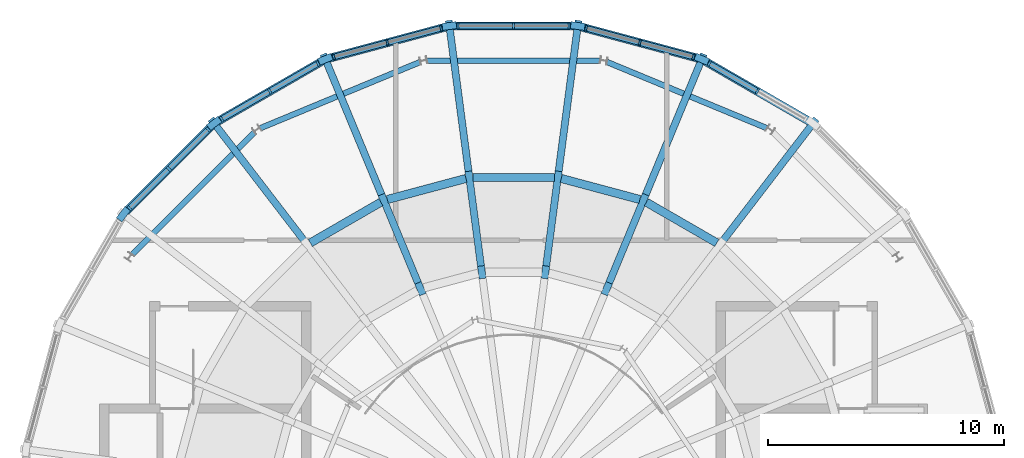
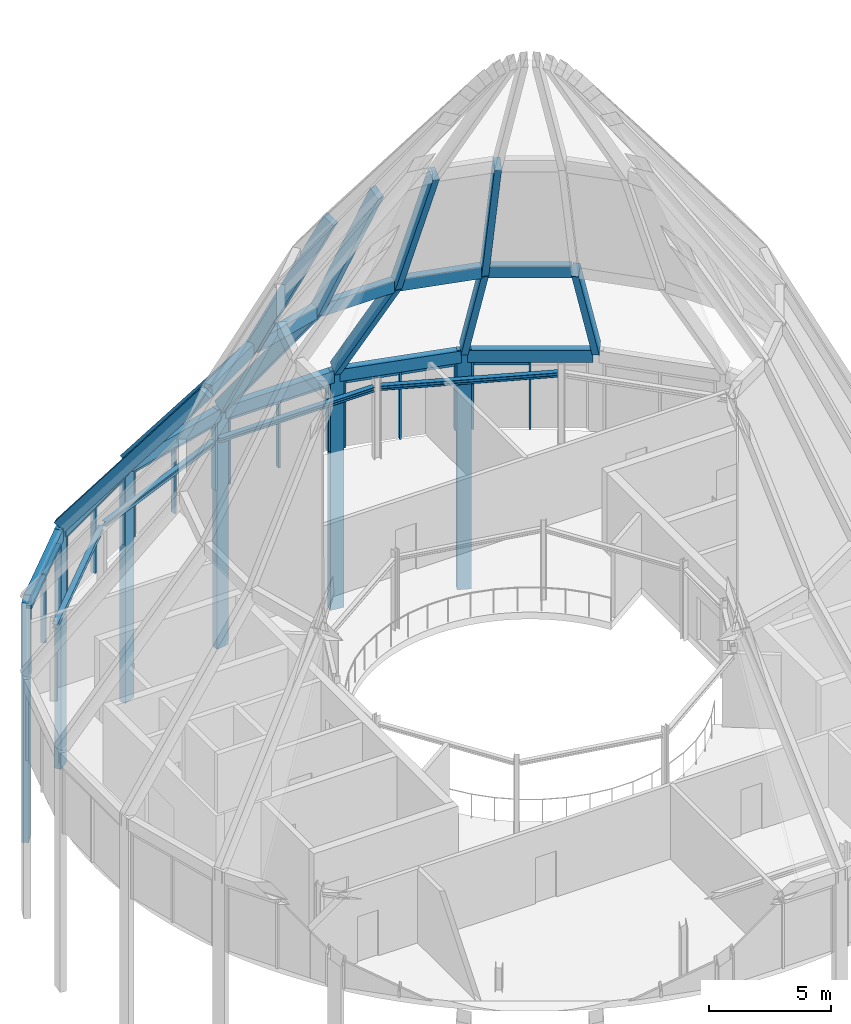
# One storey, part 9 of 16: 55 members, 4 beams, 6 elements without a shape of their own.
"""IFC4 building model written with IfcOpenShell, lengths in metres."""

from ifc_helpers import new_model, si_unit, direction, frame, origin, origin_2d, place, context, subcontext, project, spatial, rectangle, i_section, extrude, material, layer, layer_set, material_profile, profile_set, type_object, element, aggregate, save


model = new_model("IFC4")

# Units and contexts
model_context = context("Model", 3, precision=1e-05, world=origin(), true_north=direction((0.0, 1.0)))
body_context = subcontext(model_context, "Body", "Model", "MODEL_VIEW")
ifc_project = project(units=[si_unit("LENGTHUNIT", "METRE"), si_unit("AREAUNIT", "SQUARE_METRE"), si_unit("VOLUMEUNIT", "CUBIC_METRE"), si_unit("PLANEANGLEUNIT", "RADIAN"), si_unit("MASSUNIT", "GRAM", prefix="KILO")], contexts=[model_context])

# Site, building, storey
site_placement = place(None, origin())
site = spatial("IfcSite", under=ifc_project, at=site_placement, CompositionType="ELEMENT")
building_placement = place(site_placement, origin())
building = spatial("IfcBuilding", under=site, at=building_placement, Name="Maasbend Ring Residences", CompositionType="ELEMENT")
storey_placement = place(building_placement, frame((0.0, 0.0, 269.5)))
storey = spatial("IfcBuildingStorey", under=building, at=storey_placement, Name="L77", CompositionType="ELEMENT", Elevation=269.5)

# Members
ifc_material_1 = material(Name="Steel S355J2", Category="steel")
ifc_material_profile_1 = material_profile(ifc_material_1, rectangle(XDim=0.300048828125, YDim=0.60009765625, at=origin_2d()), Name="Box 300x600x12")
ifc_profile_set_1 = profile_set([ifc_material_profile_1], Name="Steel S355J2")
member_type_1 = type_object("IfcMemberType", Name="CROWN-RIB", PredefinedType="USERDEFINED", material=ifc_profile_set_1)
member_1_placement = place(storey_placement, frame((12.704833984375, 16.557373046875, 4.0), z_axis=(-0.37129355813, -0.483870756663, 0.792470936084), x_axis=(0.793348218634, -0.608768103624, 0.0)))
element("IfcMember", 1, at=member_1_placement, inside=storey, type_object=member_type_1, Name="Crown frame rib", ObjectType="CROWN FRAME", PredefinedType="USERDEFINED", context=body_context, shape_type="SweptSolid", body=[
    extrude(rectangle(XDim=0.300048828125, YDim=0.60009765625, at=origin_2d()), origin(), (0.0, 0.0, 1.0), 10.635009765625),
])
member_2_placement = place(storey_placement, frame((7.986572265625, 19.28125, -8.0), z_axis=(0.0, 0.0, 1.0), x_axis=(0.382683432365, 0.923879532511, 0.0)))
element("IfcMember", 2, at=member_2_placement, inside=storey, type_object=member_type_1, Name="Crown frame rib", ObjectType="CROWN FRAME", PredefinedType="USERDEFINED", context=body_context, shape_type="SweptSolid", body=[
    extrude(rectangle(XDim=0.300048828125, YDim=0.60009765625, at=origin_2d()), origin(), (0.0, 0.0, 1.0), 12.0),
])
member_3_placement = place(storey_placement, frame((7.986572265625, 19.28125, 4.0), z_axis=(-0.233399082314, -0.563468129772, 0.79248251407), x_axis=(0.923877827618, -0.382687548315, 0.0)))
element("IfcMember", 3, at=member_3_placement, inside=storey, type_object=member_type_1, Name="Crown frame rib", ObjectType="CROWN FRAME", PredefinedType="USERDEFINED", context=body_context, shape_type="SweptSolid", body=[
    extrude(rectangle(XDim=0.300048828125, YDim=0.60009765625, at=origin_2d()), origin(), (0.0, 0.0, 1.0), 10.635009765625),
])
member_4_placement = place(storey_placement, frame((5.50439453125, 13.288818359375, 12.427978515625), z_axis=(-0.170832473334, -0.412417278661, 0.894834204932), x_axis=(0.92387664706, -0.382690398388, 0.0)))
element("IfcMember", 4, at=member_4_placement, inside=storey, type_object=member_type_1, Name="Crown frame rib", ObjectType="CROWN FRAME", PredefinedType="USERDEFINED", context=body_context, shape_type="SweptSolid", body=[
    extrude(rectangle(XDim=0.300048828125, YDim=0.60009765625, at=origin_2d()), origin(), (0.0, 0.0, 1.0), 9.08203125),
])
member_5_placement = place(storey_placement, frame((2.72412109375, 20.69140625, -8.0), z_axis=(0.0, 0.0, 1.0), x_axis=(0.13052619222, 0.991444861374, 0.0)))
element("IfcMember", 5, at=member_5_placement, inside=storey, type_object=member_type_1, Name="Crown frame rib", ObjectType="CROWN FRAME", PredefinedType="USERDEFINED", context=body_context, shape_type="SweptSolid", body=[
    extrude(rectangle(XDim=0.300048828125, YDim=0.60009765625, at=origin_2d()), origin(), (0.0, 0.0, 1.0), 12.0),
])
member_6_placement = place(storey_placement, frame((2.72412109375, 20.69140625, 4.0), z_axis=(-0.079612203208, -0.604690035961, 0.792471991625), x_axis=(0.991444171841, -0.130531429632, 0.0)))
element("IfcMember", 6, at=member_6_placement, inside=storey, type_object=member_type_1, Name="Crown frame rib", ObjectType="CROWN FRAME", PredefinedType="USERDEFINED", context=body_context, shape_type="SweptSolid", body=[
    extrude(rectangle(XDim=0.300048828125, YDim=0.60009765625, at=origin_2d()), origin(), (0.0, 0.0, 1.0), 10.635009765625),
])
member_7_placement = place(storey_placement, frame((1.87744140625, 14.260498046875, 12.427978515625), z_axis=(-0.058253168018, -0.4425574089, 0.894846080755), x_axis=(0.991447940021, -0.130502805444, 0.0)))
element("IfcMember", 7, at=member_7_placement, inside=storey, type_object=member_type_1, Name="Crown frame rib", ObjectType="CROWN FRAME", PredefinedType="USERDEFINED", context=body_context, shape_type="SweptSolid", body=[
    extrude(rectangle(XDim=0.300048828125, YDim=0.60009765625, at=origin_2d()), origin(), (0.0, 0.0, 1.0), 9.08203125),
])
member_8_placement = place(storey_placement, frame((-2.72412109375, 20.69140625, -8.0), z_axis=(0.0, 0.0, 1.0), x_axis=(-0.13052619222, 0.991444861374, 0.0)))
element("IfcMember", 8, at=member_8_placement, inside=storey, type_object=member_type_1, Name="Crown frame rib", ObjectType="CROWN FRAME", PredefinedType="USERDEFINED", context=body_context, shape_type="SweptSolid", body=[
    extrude(rectangle(XDim=0.300048828125, YDim=0.60009765625, at=origin_2d()), origin(), (0.0, 0.0, 1.0), 12.0),
])
member_9_placement = place(storey_placement, frame((-2.72412109375, 20.69140625, 4.0), z_axis=(0.079612203208, -0.604690035961, 0.792471991625), x_axis=(0.991444171841, 0.130531429632, 0.0)))
element("IfcMember", 9, at=member_9_placement, inside=storey, type_object=member_type_1, Name="Crown frame rib", ObjectType="CROWN FRAME", PredefinedType="USERDEFINED", context=body_context, shape_type="SweptSolid", body=[
    extrude(rectangle(XDim=0.300048828125, YDim=0.60009765625, at=origin_2d()), origin(), (0.0, 0.0, 1.0), 10.635009765625),
])
member_10_placement = place(storey_placement, frame((-1.87744140625, 14.260498046875, 12.427978515625), z_axis=(0.058253168018, -0.4425574089, 0.894846080755), x_axis=(0.991447940021, 0.130502805444, 0.0)))
element("IfcMember", 10, at=member_10_placement, inside=storey, type_object=member_type_1, Name="Crown frame rib", ObjectType="CROWN FRAME", PredefinedType="USERDEFINED", context=body_context, shape_type="SweptSolid", body=[
    extrude(rectangle(XDim=0.300048828125, YDim=0.60009765625, at=origin_2d()), origin(), (0.0, 0.0, 1.0), 9.08203125),
])
member_11_placement = place(storey_placement, frame((-7.986572265625, 19.28125, -8.0), z_axis=(0.0, 0.0, 1.0), x_axis=(-0.382683432365, 0.923879532511, 0.0)))
element("IfcMember", 11, at=member_11_placement, inside=storey, type_object=member_type_1, Name="Crown frame rib", ObjectType="CROWN FRAME", PredefinedType="USERDEFINED", context=body_context, shape_type="SweptSolid", body=[
    extrude(rectangle(XDim=0.300048828125, YDim=0.60009765625, at=origin_2d()), origin(), (0.0, 0.0, 1.0), 12.0),
])
member_12_placement = place(storey_placement, frame((-7.986572265625, 19.28125, 4.0), z_axis=(0.233399082314, -0.563468129772, 0.79248251407), x_axis=(0.923877827618, 0.382687548315, 0.0)))
element("IfcMember", 12, at=member_12_placement, inside=storey, type_object=member_type_1, Name="Crown frame rib", ObjectType="CROWN FRAME", PredefinedType="USERDEFINED", context=body_context, shape_type="SweptSolid", body=[
    extrude(rectangle(XDim=0.300048828125, YDim=0.60009765625, at=origin_2d()), origin(), (0.0, 0.0, 1.0), 10.635009765625),
])
member_13_placement = place(storey_placement, frame((-5.50439453125, 13.288818359375, 12.427978515625), z_axis=(0.170832473334, -0.412417278661, 0.894834204932), x_axis=(0.92387664706, 0.382690398388, 0.0)))
element("IfcMember", 13, at=member_13_placement, inside=storey, type_object=member_type_1, Name="Crown frame rib", ObjectType="CROWN FRAME", PredefinedType="USERDEFINED", context=body_context, shape_type="SweptSolid", body=[
    extrude(rectangle(XDim=0.300048828125, YDim=0.60009765625, at=origin_2d()), origin(), (0.0, 0.0, 1.0), 9.08203125),
])
member_14_placement = place(storey_placement, frame((-12.704833984375, 16.557373046875, -8.0), z_axis=(0.0, 0.0, 1.0), x_axis=(-0.608761429009, 0.793353340291, 0.0)))
element("IfcMember", 14, at=member_14_placement, inside=storey, type_object=member_type_1, Name="Crown frame rib", ObjectType="CROWN FRAME", PredefinedType="USERDEFINED", context=body_context, shape_type="SweptSolid", body=[
    extrude(rectangle(XDim=0.300048828125, YDim=0.60009765625, at=origin_2d()), origin(), (0.0, 0.0, 1.0), 12.0),
])
member_15_placement = place(storey_placement, frame((-12.704833984375, 16.557373046875, 4.0), z_axis=(0.37129355813, -0.483870756663, 0.792470936084), x_axis=(0.793348218634, 0.608768103624, 0.0)))
element("IfcMember", 15, at=member_15_placement, inside=storey, type_object=member_type_1, Name="Crown frame rib", ObjectType="CROWN FRAME", PredefinedType="USERDEFINED", context=body_context, shape_type="SweptSolid", body=[
    extrude(rectangle(XDim=0.300048828125, YDim=0.60009765625, at=origin_2d()), origin(), (0.0, 0.0, 1.0), 10.635009765625),
])
member_16_placement = place(storey_placement, frame((-16.557373046875, 12.704833984375, -8.0), z_axis=(0.0, 0.0, 1.0), x_axis=(-0.793353340291, 0.608761429009, 0.0)))
element("IfcMember", 16, at=member_16_placement, inside=storey, type_object=member_type_1, Name="Crown frame rib", ObjectType="CROWN FRAME", PredefinedType="USERDEFINED", context=body_context, shape_type="SweptSolid", body=[
    extrude(rectangle(XDim=0.300048828125, YDim=0.60009765625, at=origin_2d()), origin(), (0.0, 0.0, 1.0), 12.0),
])
ifc_material_2 = material(Name="Steel S355J2", Category="steel")
ifc_material_profile_2 = material_profile(ifc_material_2, rectangle(XDim=0.35009765625, YDim=0.60009765625, at=origin_2d()), Name="Box 350x600x16")
ifc_profile_set_2 = profile_set([ifc_material_profile_2], Name="Steel S355J2")
member_type_2 = type_object("IfcMemberType", Name="CROWN-RING", PredefinedType="USERDEFINED", material=ifc_profile_set_2)
member_17_placement = place(storey_placement, frame((12.574951171875, 16.63232421875, 3.699951171875), z_axis=(-0.866037120986, 0.499979704663, 0.0), x_axis=(-0.499979704663, -0.866037120986, 0.0)))
element("IfcMember", 17, at=member_17_placement, inside=storey, type_object=member_type_2, Name="Crown frame ring beam", ObjectType="CROWN FRAME", PredefinedType="USERDEFINED", context=body_context, shape_type="SweptSolid", body=[
    extrude(rectangle(XDim=0.35009765625, YDim=0.60009765625, at=origin_2d()), origin(), (0.0, 0.0, 1.0), 5.148193359375),
])
member_18_placement = place(storey_placement, frame((7.841796875, 19.320068359375, 3.699951171875), z_axis=(-0.96592413215, 0.258825367631, 0.0), x_axis=(-0.258825367631, -0.96592413215, 0.0)))
element("IfcMember", 18, at=member_18_placement, inside=storey, type_object=member_type_2, Name="Crown frame ring beam", ObjectType="CROWN FRAME", PredefinedType="USERDEFINED", context=body_context, shape_type="SweptSolid", body=[
    extrude(rectangle(XDim=0.35009765625, YDim=0.60009765625, at=origin_2d()), origin(), (0.0, 0.0, 1.0), 5.1484375),
])
member_19_placement = place(storey_placement, frame((2.573974609375, 20.69140625, 3.699951171875), z_axis=(-1.0, 0.0, 0.0), x_axis=(0.0, -1.0, 0.0)))
element("IfcMember", 19, at=member_19_placement, inside=storey, type_object=member_type_2, Name="Crown frame ring beam", ObjectType="CROWN FRAME", PredefinedType="USERDEFINED", context=body_context, shape_type="SweptSolid", body=[
    extrude(rectangle(XDim=0.35009765625, YDim=0.60009765625, at=origin_2d()), origin(), (0.0, 0.0, 1.0), 5.14794921875),
])
member_20_placement = place(storey_placement, frame((-2.868896484375, 20.652587890625, 3.699951171875), z_axis=(-0.96592413215, -0.258825367631, 0.0), x_axis=(0.258825367631, -0.96592413215, 0.0)))
element("IfcMember", 20, at=member_20_placement, inside=storey, type_object=member_type_2, Name="Crown frame ring beam", ObjectType="CROWN FRAME", PredefinedType="USERDEFINED", context=body_context, shape_type="SweptSolid", body=[
    extrude(rectangle(XDim=0.35009765625, YDim=0.60009765625, at=origin_2d()), origin(), (0.0, 0.0, 1.0), 5.1484375),
])
member_21_placement = place(storey_placement, frame((-8.116455078125, 19.206298828125, 3.699951171875), z_axis=(-0.866037120986, -0.499979704663, 0.0), x_axis=(0.499979704663, -0.866037120986, 0.0)))
element("IfcMember", 21, at=member_21_placement, inside=storey, type_object=member_type_2, Name="Crown frame ring beam", ObjectType="CROWN FRAME", PredefinedType="USERDEFINED", context=body_context, shape_type="SweptSolid", body=[
    extrude(rectangle(XDim=0.35009765625, YDim=0.60009765625, at=origin_2d()), origin(), (0.0, 0.0, 1.0), 5.148193359375),
])
member_22_placement = place(storey_placement, frame((-12.81103515625, 16.451171875, 3.699951171875), z_axis=(-0.707106781187, -0.707106781187, 0.0), x_axis=(0.707106781187, -0.707106781187, 0.0)))
element("IfcMember", 22, at=member_22_placement, inside=storey, type_object=member_type_2, Name="Crown frame ring beam", ObjectType="CROWN FRAME", PredefinedType="USERDEFINED", context=body_context, shape_type="SweptSolid", body=[
    extrude(rectangle(XDim=0.35009765625, YDim=0.60009765625, at=origin_2d()), origin(), (0.0, 0.0, 1.0), 5.14794921875),
])
for number, where, z_axis, x_axis, name in (
    (23, (8.626220703125, 11.486328125, 12.427978515625), (-0.866038486578, 0.499977339252, 0.0), (-0.499977339252, -0.866038486578, 0.0), "Crown frame ring beam"),
    (24, (5.359375, 13.32763671875, 12.427978515625), (-0.965936381451, 0.25877964949, 0.0), (-0.25877964949, -0.965936381451, 0.0), "Crown frame ring beam"),
):
    element("IfcMember", number, at=place(storey_placement, frame(where, z_axis=z_axis, x_axis=x_axis)), inside=storey, type_object=member_type_2, Name=name, ObjectType="CROWN FRAME", PredefinedType="USERDEFINED", context=body_context, shape_type="SweptSolid", body=[
        extrude(rectangle(XDim=0.35009765625, YDim=0.60009765625, at=origin_2d()), origin(), (0.0, 0.0, 1.0), 3.454833984375),
    ])
member_23_placement = place(storey_placement, frame((1.7275390625, 14.260498046875, 12.427978515625), z_axis=(-1.0, 0.0, 0.0), x_axis=(0.0, -1.0, 0.0)))
element("IfcMember", 25, at=member_23_placement, inside=storey, type_object=member_type_2, Name="Crown frame ring beam", ObjectType="CROWN FRAME", PredefinedType="USERDEFINED", context=body_context, shape_type="SweptSolid", body=[
    extrude(rectangle(XDim=0.35009765625, YDim=0.60009765625, at=origin_2d()), origin(), (0.0, 0.0, 1.0), 3.455078125),
])
for number, where, z_axis, x_axis, name in (
    (26, (-2.022216796875, 14.2216796875, 12.427978515625), (-0.965936381451, -0.25877964949, 0.0), (0.25877964949, -0.965936381451, 0.0), "Crown frame ring beam"),
    (27, (-5.63427734375, 13.213623046875, 12.427978515625), (-0.866038486578, -0.499977339252, 0.0), (0.499977339252, -0.866038486578, 0.0), "Crown frame ring beam"),
):
    element("IfcMember", number, at=place(storey_placement, frame(where, z_axis=z_axis, x_axis=x_axis)), inside=storey, type_object=member_type_2, Name=name, ObjectType="CROWN FRAME", PredefinedType="USERDEFINED", context=body_context, shape_type="SweptSolid", body=[
        extrude(rectangle(XDim=0.35009765625, YDim=0.60009765625, at=origin_2d()), origin(), (0.0, 0.0, 1.0), 3.454833984375),
    ])

# Curtain wall, members
ifc_material_3 = material(Name="Aluminium and clear glass", Category="aluminium")
ifc_layer = layer(ifc_material_3, 0.239990234375)
ifc_layer_set = layer_set([ifc_layer], Name="CW-CN")
curtain_wall_type = type_object("IfcCurtainWallType", Name="CW-CN", PredefinedType="NOTDEFINED", material=ifc_layer_set)
curtain_wall_1_placement = place(storey_placement, origin())
curtain_wall_1 = element("IfcCurtainWall", 28, at=curtain_wall_1_placement, inside=storey, type_object=curtain_wall_type, Name="Crown drum glazing 04 L77", PredefinedType="NOTDEFINED")
ifc_material_4 = material(Name="Aluminium 6063-T6", Category="aluminium")
ifc_material_profile_3 = material_profile(ifc_material_4, rectangle(XDim=0.239990234375, YDim=0.090087890625, at=origin_2d()), Name="AL 240x90")
ifc_profile_set_3 = profile_set([ifc_material_profile_3], Name="Aluminium 6063-T6")
member_type_3 = type_object("IfcMemberType", Name="CWM-CN", PredefinedType="MULLION", material=ifc_profile_set_3)
member_24_placement = place(storey_placement, frame((10.345703125, 17.91943359375, 0.0), z_axis=(0.0, 0.0, 1.0), x_axis=(-0.5, -0.866025403784, 0.0)))
member_24 = element("IfcMember", 29, at=member_24_placement, type_object=member_type_3, Name="Mullion crown cone", PredefinedType="MULLION", context=body_context, shape_type="SweptSolid", body=[
    extrude(rectangle(XDim=0.239990234375, YDim=0.090087890625, at=origin_2d()), origin(), (0.0, 0.0, 1.0), 3.39990234375),
])
member_25_placement = place(storey_placement, frame((8.302734375, 19.098876953125, 0.0), z_axis=(0.0, 0.0, 1.0), x_axis=(-0.5, -0.866025403784, 0.0)))
member_25 = element("IfcMember", 30, at=member_25_placement, type_object=member_type_3, Name="Mullion crown cone", PredefinedType="MULLION", context=body_context, shape_type="SweptSolid", body=[
    extrude(rectangle(XDim=0.239990234375, YDim=0.090087890625, at=origin_2d()), origin(), (0.0, 0.0, 1.0), 3.39990234375),
])

curtain_wall_2_placement = place(storey_placement, origin())
curtain_wall_2 = element("IfcCurtainWall", 31, at=curtain_wall_2_placement, inside=storey, type_object=curtain_wall_type, Name="Crown drum glazing 05 L77", PredefinedType="NOTDEFINED")
member_26_placement = place(storey_placement, frame((7.634033203125, 19.375732421875, 0.0), z_axis=(0.0, 0.0, 1.0), x_axis=(-0.258819045103, -0.965925826289, 0.0)))
member_26 = element("IfcMember", 32, at=member_26_placement, type_object=member_type_3, Name="Mullion crown cone", PredefinedType="MULLION", context=body_context, shape_type="SweptSolid", body=[
    extrude(rectangle(XDim=0.239990234375, YDim=0.090087890625, at=origin_2d()), origin(), (0.0, 0.0, 1.0), 3.39990234375),
])
member_27_placement = place(storey_placement, frame((5.355224609375, 19.986328125, 0.0), z_axis=(0.0, 0.0, 1.0), x_axis=(-0.258819045103, -0.965925826289, 0.0)))
member_27 = element("IfcMember", 33, at=member_27_placement, type_object=member_type_3, Name="Mullion crown cone", PredefinedType="MULLION", context=body_context, shape_type="SweptSolid", body=[
    extrude(rectangle(XDim=0.239990234375, YDim=0.090087890625, at=origin_2d()), origin(), (0.0, 0.0, 1.0), 3.39990234375),
])
member_28_placement = place(storey_placement, frame((3.07666015625, 20.596923828125, 0.0), z_axis=(0.0, 0.0, 1.0), x_axis=(-0.258819045103, -0.965925826289, 0.0)))
member_28 = element("IfcMember", 34, at=member_28_placement, type_object=member_type_3, Name="Mullion crown cone", PredefinedType="MULLION", context=body_context, shape_type="SweptSolid", body=[
    extrude(rectangle(XDim=0.239990234375, YDim=0.090087890625, at=origin_2d()), origin(), (0.0, 0.0, 1.0), 3.39990234375),
])

curtain_wall_3_placement = place(storey_placement, origin())
curtain_wall_3 = element("IfcCurtainWall", 35, at=curtain_wall_3_placement, inside=storey, type_object=curtain_wall_type, Name="Crown drum glazing 06 L77", PredefinedType="NOTDEFINED")
member_29_placement = place(storey_placement, frame((2.359130859375, 20.69140625, 0.0), z_axis=(0.0, 0.0, 1.0), x_axis=(0.0, -1.0, 0.0)))
member_29 = element("IfcMember", 36, at=member_29_placement, type_object=member_type_3, Name="Mullion crown cone", PredefinedType="MULLION", context=body_context, shape_type="SweptSolid", body=[
    extrude(rectangle(XDim=0.239990234375, YDim=0.090087890625, at=origin_2d()), origin(), (0.0, 0.0, 1.0), 3.39990234375),
])
member_30_placement = place(storey_placement, frame((0.0, 20.69140625, 0.0), z_axis=(0.0, 0.0, 1.0), x_axis=(0.0, -1.0, 0.0)))
member_30 = element("IfcMember", 37, at=member_30_placement, type_object=member_type_3, Name="Mullion crown cone", PredefinedType="MULLION", context=body_context, shape_type="SweptSolid", body=[
    extrude(rectangle(XDim=0.239990234375, YDim=0.090087890625, at=origin_2d()), origin(), (0.0, 0.0, 1.0), 3.39990234375),
])
member_31_placement = place(storey_placement, frame((-2.359130859375, 20.69140625, 0.0), z_axis=(0.0, 0.0, 1.0), x_axis=(0.0, -1.0, 0.0)))
member_31 = element("IfcMember", 38, at=member_31_placement, type_object=member_type_3, Name="Mullion crown cone", PredefinedType="MULLION", context=body_context, shape_type="SweptSolid", body=[
    extrude(rectangle(XDim=0.239990234375, YDim=0.090087890625, at=origin_2d()), origin(), (0.0, 0.0, 1.0), 3.39990234375),
])

curtain_wall_4_placement = place(storey_placement, origin())
curtain_wall_4 = element("IfcCurtainWall", 39, at=curtain_wall_4_placement, inside=storey, type_object=curtain_wall_type, Name="Crown drum glazing 07 L77", PredefinedType="NOTDEFINED")
member_32_placement = place(storey_placement, frame((-3.07666015625, 20.596923828125, 0.0), z_axis=(0.0, 0.0, 1.0), x_axis=(0.258819045103, -0.965925826289, 0.0)))
member_32 = element("IfcMember", 40, at=member_32_placement, type_object=member_type_3, Name="Mullion crown cone", PredefinedType="MULLION", context=body_context, shape_type="SweptSolid", body=[
    extrude(rectangle(XDim=0.239990234375, YDim=0.090087890625, at=origin_2d()), origin(), (0.0, 0.0, 1.0), 3.39990234375),
])
member_33_placement = place(storey_placement, frame((-5.355224609375, 19.986328125, 0.0), z_axis=(0.0, 0.0, 1.0), x_axis=(0.258819045103, -0.965925826289, 0.0)))
member_33 = element("IfcMember", 41, at=member_33_placement, type_object=member_type_3, Name="Mullion crown cone", PredefinedType="MULLION", context=body_context, shape_type="SweptSolid", body=[
    extrude(rectangle(XDim=0.239990234375, YDim=0.090087890625, at=origin_2d()), origin(), (0.0, 0.0, 1.0), 3.39990234375),
])
member_34_placement = place(storey_placement, frame((-7.634033203125, 19.375732421875, 0.0), z_axis=(0.0, 0.0, 1.0), x_axis=(0.258819045103, -0.965925826289, 0.0)))
member_34 = element("IfcMember", 42, at=member_34_placement, type_object=member_type_3, Name="Mullion crown cone", PredefinedType="MULLION", context=body_context, shape_type="SweptSolid", body=[
    extrude(rectangle(XDim=0.239990234375, YDim=0.090087890625, at=origin_2d()), origin(), (0.0, 0.0, 1.0), 3.39990234375),
])

curtain_wall_5_placement = place(storey_placement, origin())
curtain_wall_5 = element("IfcCurtainWall", 43, at=curtain_wall_5_placement, inside=storey, type_object=curtain_wall_type, Name="Crown drum glazing 08 L77", PredefinedType="NOTDEFINED")
member_35_placement = place(storey_placement, frame((-8.302734375, 19.098876953125, 0.0), z_axis=(0.0, 0.0, 1.0), x_axis=(0.5, -0.866025403784, 0.0)))
member_35 = element("IfcMember", 44, at=member_35_placement, type_object=member_type_3, Name="Mullion crown cone", PredefinedType="MULLION", context=body_context, shape_type="SweptSolid", body=[
    extrude(rectangle(XDim=0.239990234375, YDim=0.090087890625, at=origin_2d()), origin(), (0.0, 0.0, 1.0), 3.39990234375),
])
member_36_placement = place(storey_placement, frame((-10.345703125, 17.91943359375, 0.0), z_axis=(0.0, 0.0, 1.0), x_axis=(0.5, -0.866025403784, 0.0)))
member_36 = element("IfcMember", 45, at=member_36_placement, type_object=member_type_3, Name="Mullion crown cone", PredefinedType="MULLION", context=body_context, shape_type="SweptSolid", body=[
    extrude(rectangle(XDim=0.239990234375, YDim=0.090087890625, at=origin_2d()), origin(), (0.0, 0.0, 1.0), 3.39990234375),
])
member_37_placement = place(storey_placement, frame((-12.388671875, 16.73974609375, 0.0), z_axis=(0.0, 0.0, 1.0), x_axis=(0.5, -0.866025403784, 0.0)))
member_37 = element("IfcMember", 46, at=member_37_placement, type_object=member_type_3, Name="Mullion crown cone", PredefinedType="MULLION", context=body_context, shape_type="SweptSolid", body=[
    extrude(rectangle(XDim=0.239990234375, YDim=0.090087890625, at=origin_2d()), origin(), (0.0, 0.0, 1.0), 3.39990234375),
])

curtain_wall_6_placement = place(storey_placement, origin())
curtain_wall_6 = element("IfcCurtainWall", 47, at=curtain_wall_6_placement, inside=storey, type_object=curtain_wall_type, Name="Crown drum glazing 09 L77", PredefinedType="NOTDEFINED")
member_38_placement = place(storey_placement, frame((-12.962890625, 16.299072265625, 0.0), z_axis=(0.0, 0.0, 1.0), x_axis=(0.707106781187, -0.707106781187, 0.0)))
member_38 = element("IfcMember", 48, at=member_38_placement, type_object=member_type_3, Name="Mullion crown cone", PredefinedType="MULLION", context=body_context, shape_type="SweptSolid", body=[
    extrude(rectangle(XDim=0.239990234375, YDim=0.090087890625, at=origin_2d()), origin(), (0.0, 0.0, 1.0), 3.39990234375),
])
member_39_placement = place(storey_placement, frame((-14.631103515625, 14.631103515625, 0.0), z_axis=(0.0, 0.0, 1.0), x_axis=(0.707106781187, -0.707106781187, 0.0)))
member_39 = element("IfcMember", 49, at=member_39_placement, type_object=member_type_3, Name="Mullion crown cone", PredefinedType="MULLION", context=body_context, shape_type="SweptSolid", body=[
    extrude(rectangle(XDim=0.239990234375, YDim=0.090087890625, at=origin_2d()), origin(), (0.0, 0.0, 1.0), 3.39990234375),
])
member_40_placement = place(storey_placement, frame((-16.299072265625, 12.962890625, 0.0), z_axis=(0.0, 0.0, 1.0), x_axis=(0.707106781187, -0.707106781187, 0.0)))
member_40 = element("IfcMember", 50, at=member_40_placement, type_object=member_type_3, Name="Mullion crown cone", PredefinedType="MULLION", context=body_context, shape_type="SweptSolid", body=[
    extrude(rectangle(XDim=0.239990234375, YDim=0.090087890625, at=origin_2d()), origin(), (0.0, 0.0, 1.0), 3.39990234375),
])

# Member
ifc_material_5 = material(Name="Aluminium 6063-T6", Category="aluminium")
ifc_material_profile_4 = material_profile(ifc_material_5, rectangle(XDim=0.239990234375, YDim=0.159912109375, at=origin_2d()), Name="AL 240x160")
ifc_profile_set_4 = profile_set([ifc_material_profile_4], Name="Aluminium 6063-T6")
member_type_4 = type_object("IfcMemberType", Name="CWT-CN", PredefinedType="USERDEFINED", material=ifc_profile_set_4)
member_41_placement = place(storey_placement, frame((10.306640625, 17.94189453125, 3.320068359375), z_axis=(-0.866029704776, 0.49999255039, 0.0), x_axis=(-0.49999255039, -0.866029704776, 0.0)))
member_41 = element("IfcMember", 51, at=member_41_placement, type_object=member_type_4, Name="Transom crown cone", ObjectType="TRANSOM", PredefinedType="USERDEFINED", context=body_context, shape_type="SweptSolid", body=[
    extrude(rectangle(XDim=0.239990234375, YDim=0.159912109375, at=origin_2d()), origin(), (0.0, 0.0, 1.0), 2.26904296875),
])

aggregate(curtain_wall_1, [member_24, member_25, member_41])

member_42_placement = place(storey_placement, frame((7.590576171875, 19.387451171875, 3.320068359375), z_axis=(-0.965909143883, 0.258881296667, 0.0), x_axis=(-0.258881296667, -0.965909143883, 0.0)))
member_42 = element("IfcMember", 52, at=member_42_placement, type_object=member_type_4, Name="Transom crown cone", ObjectType="TRANSOM", PredefinedType="USERDEFINED", context=body_context, shape_type="SweptSolid", body=[
    extrude(rectangle(XDim=0.239990234375, YDim=0.159912109375, at=origin_2d()), origin(), (0.0, 0.0, 1.0), 2.26904296875),
])

member_43_placement = place(storey_placement, frame((5.311767578125, 19.998046875, 3.320068359375), z_axis=(-0.965909143883, 0.258881296667, 0.0), x_axis=(-0.258881296667, -0.965909143883, 0.0)))
member_43 = element("IfcMember", 53, at=member_43_placement, type_object=member_type_4, Name="Transom crown cone", ObjectType="TRANSOM", PredefinedType="USERDEFINED", context=body_context, shape_type="SweptSolid", body=[
    extrude(rectangle(XDim=0.239990234375, YDim=0.159912109375, at=origin_2d()), origin(), (0.0, 0.0, 1.0), 2.26904296875),
])

aggregate(curtain_wall_2, [member_26, member_27, member_28, member_42, member_43])

member_44_placement = place(storey_placement, frame((2.31396484375, 20.69140625, 3.320068359375), z_axis=(-1.0, 0.0, 0.0), x_axis=(0.0, -1.0, 0.0)))
member_44 = element("IfcMember", 54, at=member_44_placement, type_object=member_type_4, Name="Transom crown cone", ObjectType="TRANSOM", PredefinedType="USERDEFINED", context=body_context, shape_type="SweptSolid", body=[
    extrude(rectangle(XDim=0.239990234375, YDim=0.159912109375, at=origin_2d()), origin(), (0.0, 0.0, 1.0), 2.26904296875),
])

member_45_placement = place(storey_placement, frame((-0.044921875, 20.69140625, 3.320068359375), z_axis=(-1.0, 0.0, 0.0), x_axis=(0.0, -1.0, 0.0)))
member_45 = element("IfcMember", 55, at=member_45_placement, type_object=member_type_4, Name="Transom crown cone", ObjectType="TRANSOM", PredefinedType="USERDEFINED", context=body_context, shape_type="SweptSolid", body=[
    extrude(rectangle(XDim=0.239990234375, YDim=0.159912109375, at=origin_2d()), origin(), (0.0, 0.0, 1.0), 2.26904296875),
])

aggregate(curtain_wall_3, [member_29, member_30, member_31, member_44, member_45])

member_46_placement = place(storey_placement, frame((-3.1201171875, 20.58544921875, 3.320068359375), z_axis=(-0.965909143883, -0.258881296667, 0.0), x_axis=(0.258881296667, -0.965909143883, 0.0)))
member_46 = element("IfcMember", 56, at=member_46_placement, type_object=member_type_4, Name="Transom crown cone", ObjectType="TRANSOM", PredefinedType="USERDEFINED", context=body_context, shape_type="SweptSolid", body=[
    extrude(rectangle(XDim=0.239990234375, YDim=0.159912109375, at=origin_2d()), origin(), (0.0, 0.0, 1.0), 2.26904296875),
])

member_47_placement = place(storey_placement, frame((-5.39892578125, 19.974853515625, 3.320068359375), z_axis=(-0.965909143883, -0.258881296667, 0.0), x_axis=(0.258881296667, -0.965909143883, 0.0)))
member_47 = element("IfcMember", 57, at=member_47_placement, type_object=member_type_4, Name="Transom crown cone", ObjectType="TRANSOM", PredefinedType="USERDEFINED", context=body_context, shape_type="SweptSolid", body=[
    extrude(rectangle(XDim=0.239990234375, YDim=0.159912109375, at=origin_2d()), origin(), (0.0, 0.0, 1.0), 2.26904296875),
])

aggregate(curtain_wall_4, [member_32, member_33, member_34, member_46, member_47])

member_48_placement = place(storey_placement, frame((-8.341552734375, 19.076416015625, 3.320068359375), z_axis=(-0.866029704776, -0.49999255039, 0.0), x_axis=(0.49999255039, -0.866029704776, 0.0)))
member_48 = element("IfcMember", 58, at=member_48_placement, type_object=member_type_4, Name="Transom crown cone", ObjectType="TRANSOM", PredefinedType="USERDEFINED", context=body_context, shape_type="SweptSolid", body=[
    extrude(rectangle(XDim=0.239990234375, YDim=0.159912109375, at=origin_2d()), origin(), (0.0, 0.0, 1.0), 2.26904296875),
])

member_49_placement = place(storey_placement, frame((-10.384765625, 17.896728515625, 3.320068359375), z_axis=(-0.866029704776, -0.49999255039, 0.0), x_axis=(0.49999255039, -0.866029704776, 0.0)))
member_49 = element("IfcMember", 59, at=member_49_placement, type_object=member_type_4, Name="Transom crown cone", ObjectType="TRANSOM", PredefinedType="USERDEFINED", context=body_context, shape_type="SweptSolid", body=[
    extrude(rectangle(XDim=0.239990234375, YDim=0.159912109375, at=origin_2d()), origin(), (0.0, 0.0, 1.0), 2.26904296875),
])

aggregate(curtain_wall_5, [member_35, member_36, member_37, member_48, member_49])

member_50_placement = place(storey_placement, frame((-12.994873046875, 16.267333984375, 3.320068359375), z_axis=(-0.707106781187, -0.707106781187, 0.0), x_axis=(0.707106781187, -0.707106781187, 0.0)))
member_50 = element("IfcMember", 60, at=member_50_placement, type_object=member_type_4, Name="Transom crown cone", ObjectType="TRANSOM", PredefinedType="USERDEFINED", context=body_context, shape_type="SweptSolid", body=[
    extrude(rectangle(XDim=0.239990234375, YDim=0.159912109375, at=origin_2d()), origin(), (0.0, 0.0, 1.0), 2.26904296875),
])

member_51_placement = place(storey_placement, frame((-14.662841796875, 14.599365234375, 3.320068359375), z_axis=(-0.707106781187, -0.707106781187, 0.0), x_axis=(0.707106781187, -0.707106781187, 0.0)))
member_51 = element("IfcMember", 61, at=member_51_placement, type_object=member_type_4, Name="Transom crown cone", ObjectType="TRANSOM", PredefinedType="USERDEFINED", context=body_context, shape_type="SweptSolid", body=[
    extrude(rectangle(XDim=0.239990234375, YDim=0.159912109375, at=origin_2d()), origin(), (0.0, 0.0, 1.0), 2.26904296875),
])

aggregate(curtain_wall_6, [member_38, member_39, member_40, member_50, member_51])

# Beams
ifc_material_6 = material(Name="Steel S355J2", Category="steel")
ifc_material_profile_5 = material_profile(ifc_material_6, i_section(OverallWidth=0.239990234375, OverallDepth=0.22998046875, WebThickness=0.007568359375, FlangeThickness=0.011962890625, FilletRadius=0.02099609375, at=origin_2d()), Name="HEA 240")
ifc_profile_set_5 = profile_set([ifc_material_profile_5], Name="Steel S355J2")
beam_type = type_object("IfcBeamType", Name="Corridor ring beam HEA 240", PredefinedType="BEAM", material=ifc_profile_set_5)
beam_1_placement = place(storey_placement, frame((10.747802734375, 16.355224609375, 3.534912109375), z_axis=(-0.923875784142, 0.382692481603, 0.0), x_axis=(-0.382692481603, -0.923875784142, 0.0)))
element("IfcBeam", 62, at=beam_1_placement, inside=storey, type_object=beam_type, Name="Corridor ring beam", PredefinedType="BEAM", context=body_context, shape_type="SweptSolid", body=[
    extrude(i_section(OverallWidth=0.239990234375, OverallDepth=0.22998046875, WebThickness=0.007568359375, FlangeThickness=0.011962890625, FilletRadius=0.02099609375, at=origin_2d()), origin(), (0.0, 0.0, 1.0), 7.341552734375),
])
beam_2_placement = place(storey_placement, frame((3.6708984375, 19.223388671875, 3.534912109375), z_axis=(-1.0, 0.0, 0.0), x_axis=(0.0, -1.0, 0.0)))
element("IfcBeam", 63, at=beam_2_placement, inside=storey, type_object=beam_type, Name="Corridor ring beam", PredefinedType="BEAM", context=body_context, shape_type="SweptSolid", body=[
    extrude(i_section(OverallWidth=0.239990234375, OverallDepth=0.22998046875, WebThickness=0.007568359375, FlangeThickness=0.011962890625, FilletRadius=0.02099609375, at=origin_2d()), origin(), (0.0, 0.0, 1.0), 7.341796875),
])
beam_3_placement = place(storey_placement, frame((-3.965087890625, 19.164794921875, 3.534912109375), z_axis=(-0.923875784142, -0.382692481603, 0.0), x_axis=(0.382692481603, -0.923875784142, 0.0)))
element("IfcBeam", 64, at=beam_3_placement, inside=storey, type_object=beam_type, Name="Corridor ring beam", PredefinedType="BEAM", context=body_context, shape_type="SweptSolid", body=[
    extrude(i_section(OverallWidth=0.239990234375, OverallDepth=0.22998046875, WebThickness=0.007568359375, FlangeThickness=0.011962890625, FilletRadius=0.02099609375, at=origin_2d()), origin(), (0.0, 0.0, 1.0), 7.341552734375),
])
beam_4_placement = place(storey_placement, frame((-10.997314453125, 16.188720703125, 3.534912109375), z_axis=(-0.707106781187, -0.707106781187, 0.0), x_axis=(0.707106781187, -0.707106781187, 0.0)))
element("IfcBeam", 65, at=beam_4_placement, inside=storey, type_object=beam_type, Name="Corridor ring beam", PredefinedType="BEAM", context=body_context, shape_type="SweptSolid", body=[
    extrude(i_section(OverallWidth=0.239990234375, OverallDepth=0.22998046875, WebThickness=0.007568359375, FlangeThickness=0.011962890625, FilletRadius=0.02099609375, at=origin_2d()), origin(), (0.0, 0.0, 1.0), 7.341796875),
])

save(model, "model.ifc")
